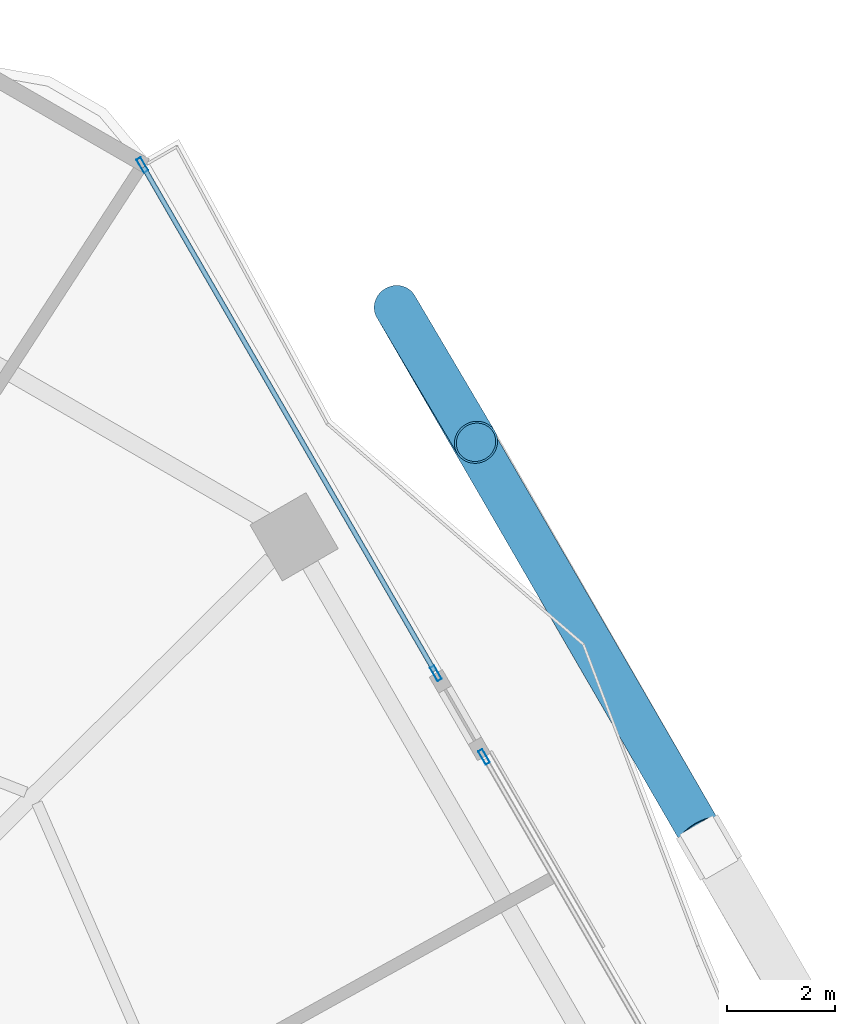
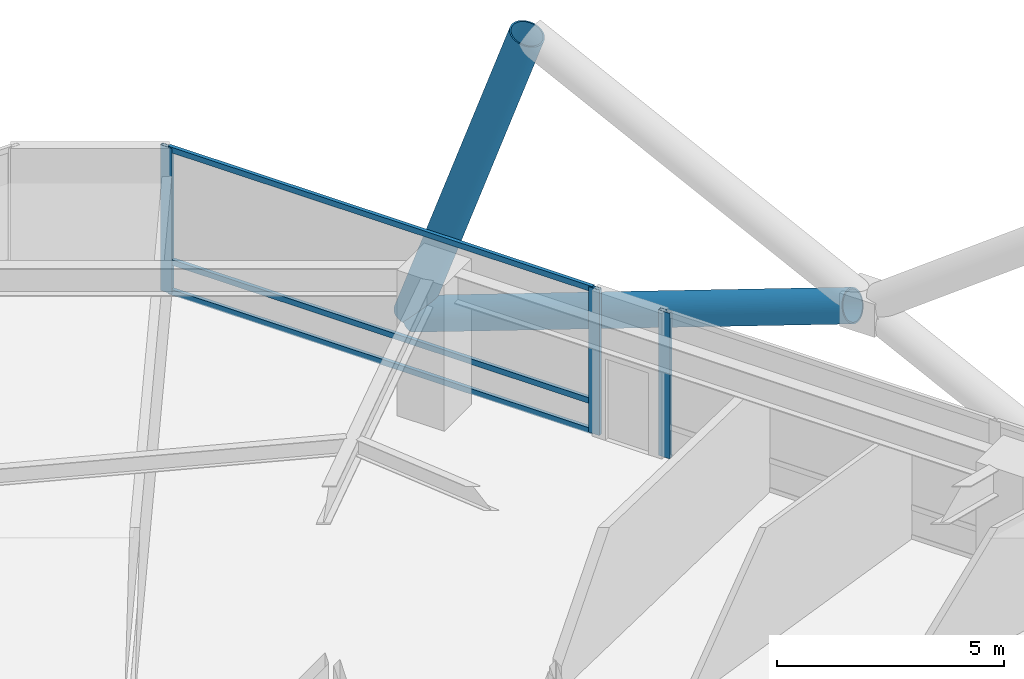
# One storey, part 22 of 31: 8 members, 2 elements without a shape of their own.
"""IFC4 building model written with IfcOpenShell, lengths in metres."""

from ifc_helpers import new_model, si_unit, direction, frame, origin, origin_2d, place, context, subcontext, project, spatial, hollow_rectangle, hollow_circle, extrude, material, material_profile, profile_set, type_object, element, aggregate, save


model = new_model("IFC4")

# Units and contexts
model_context = context("Model", 3, precision=1e-05, world=origin(), true_north=direction((0.0, 1.0)))
body_context = subcontext(model_context, "Body", "Model", "MODEL_VIEW")
ifc_project = project(units=[si_unit("LENGTHUNIT", "METRE"), si_unit("AREAUNIT", "SQUARE_METRE"), si_unit("VOLUMEUNIT", "CUBIC_METRE"), si_unit("PLANEANGLEUNIT", "RADIAN"), si_unit("MASSUNIT", "GRAM", prefix="KILO")], contexts=[model_context])

# Site, building, storey
site_placement = place(None, origin())
site = spatial("IfcSite", under=ifc_project, at=site_placement, CompositionType="ELEMENT")
building_placement = place(site_placement, origin())
building = spatial("IfcBuilding", under=site, at=building_placement, Name="Zuhravey Tower", CompositionType="ELEMENT")
storey_placement = place(building_placement, frame((0.0, 0.0, 7.800048828125)))
storey = spatial("IfcBuildingStorey", under=building, at=storey_placement, Name="L02", CompositionType="ELEMENT", Elevation=7.800048828125)

# Curtain wall, members
ifc_material_1 = material(Name="Thermally broken anodised aluminium", Category="aluminium")
curtain_wall_type = type_object("IfcCurtainWallType", Name="School Low-E Unitised Curtain Wall CW1", PredefinedType="NOTDEFINED", material=ifc_material_1)
curtain_wall_1_placement = place(storey_placement, origin())
curtain_wall_1 = element("IfcCurtainWall", 1, at=curtain_wall_1_placement, inside=storey, type_object=curtain_wall_type, Name="L02 CW1 CW-L02-F1-1", PredefinedType="NOTDEFINED")
ifc_material_2 = material(Name="Anodised aluminium", Category="aluminium")
ifc_material_profile_1 = material_profile(ifc_material_2, hollow_rectangle(XDim=0.090087890625, YDim=0.284912109375, WallThickness=0.0048828125, at=origin_2d()), Name="ALU-RHS-90x285x5")
ifc_profile_set_1 = profile_set([ifc_material_profile_1], Name="Anodised aluminium")
member_type_1 = type_object("IfcMemberType", Name="Curtain-Wall Mullion 90x180", PredefinedType="MULLION", material=ifc_profile_set_1)
member_1_placement = place(storey_placement, frame((53.701416015625, 59.257080078125, 0.0), z_axis=(0.0, 0.0, 1.0), x_axis=(0.866026545681, 0.499998022171, 0.0)))
member_1 = element("IfcMember", 2, at=member_1_placement, type_object=member_type_1, Name="CW1 mullion 1", PredefinedType="MULLION", context=body_context, shape_type="SweptSolid", body=[
    extrude(hollow_rectangle(XDim=0.090087890625, YDim=0.284912109375, WallThickness=0.0048828125, at=origin_2d()), origin(), (0.0, 0.0, 1.0), 3.919921875),
])
member_2_placement = place(storey_placement, frame((59.1484375, 49.82275390625, 0.0), z_axis=(0.0, 0.0, 1.0), x_axis=(0.866026545681, 0.499998022171, 0.0)))
member_2 = element("IfcMember", 3, at=member_2_placement, type_object=member_type_1, Name="CW1 mullion 2", PredefinedType="MULLION", context=body_context, shape_type="SweptSolid", body=[
    extrude(hollow_rectangle(XDim=0.090087890625, YDim=0.284912109375, WallThickness=0.0048828125, at=origin_2d()), origin(), (0.0, 0.0, 1.0), 3.919921875),
])

# Curtain wall, member
curtain_wall_2_placement = place(storey_placement, origin())
curtain_wall_2 = element("IfcCurtainWall", 4, at=curtain_wall_2_placement, inside=storey, type_object=curtain_wall_type, Name="L02 CW1 CW-L02-F1-2", PredefinedType="NOTDEFINED")
member_3_placement = place(storey_placement, frame((60.04345703125, 48.2724609375, 0.0), z_axis=(0.0, 0.0, 1.0), x_axis=(0.866025508574, 0.499999818499, 0.0)))
member_3 = element("IfcMember", 5, at=member_3_placement, type_object=member_type_1, Name="CW1 mullion 1", PredefinedType="MULLION", context=body_context, shape_type="SweptSolid", body=[
    extrude(hollow_rectangle(XDim=0.090087890625, YDim=0.284912109375, WallThickness=0.0048828125, at=origin_2d()), origin(), (0.0, 0.0, 1.0), 3.919921875),
])
aggregate(curtain_wall_2, [member_3])

# Member
ifc_material_profile_2 = material_profile(ifc_material_2, hollow_rectangle(XDim=0.090087890625, YDim=0.14990234375, WallThickness=0.0048828125, at=origin_2d()), Name="ALU-RHS-90x150x5")
ifc_profile_set_2 = profile_set([ifc_material_profile_2], Name="Anodised aluminium")
member_type_2 = type_object("IfcMemberType", Name="Curtain-Wall Transom 90x150", PredefinedType="USERDEFINED", material=ifc_profile_set_2)
member_4_placement = place(storey_placement, frame((53.72412109375, 59.218017578125, 0.044921875), z_axis=(0.499993700073, -0.866029041019, 0.0), x_axis=(0.866029041019, 0.499993700073, 0.0)))
member_4 = element("IfcMember", 6, at=member_4_placement, type_object=member_type_2, Name="CW1 transom 1.1", ObjectType="TRANSOM", PredefinedType="USERDEFINED", context=body_context, shape_type="SweptSolid", body=[
    extrude(hollow_rectangle(XDim=0.090087890625, YDim=0.14990234375, WallThickness=0.0048828125, at=origin_2d()), origin(), (0.0, 0.0, 1.0), 10.803955078125),
])

member_5_placement = place(storey_placement, frame((53.72412109375, 59.218017578125, 0.849853515625), z_axis=(0.499993700073, -0.866029041019, 0.0), x_axis=(0.866029041019, 0.499993700073, 0.0)))
member_5 = element("IfcMember", 7, at=member_5_placement, type_object=member_type_2, Name="CW1 transom 1.2", ObjectType="TRANSOM", PredefinedType="USERDEFINED", context=body_context, shape_type="SweptSolid", body=[
    extrude(hollow_rectangle(XDim=0.090087890625, YDim=0.14990234375, WallThickness=0.0048828125, at=origin_2d()), origin(), (0.0, 0.0, 1.0), 10.803955078125),
])

member_6_placement = place(storey_placement, frame((53.72412109375, 59.218017578125, 3.875), z_axis=(0.499993700073, -0.866029041019, 0.0), x_axis=(0.866029041019, 0.499993700073, 0.0)))
member_6 = element("IfcMember", 8, at=member_6_placement, type_object=member_type_2, Name="CW1 transom 1.3", ObjectType="TRANSOM", PredefinedType="USERDEFINED", context=body_context, shape_type="SweptSolid", body=[
    extrude(hollow_rectangle(XDim=0.090087890625, YDim=0.14990234375, WallThickness=0.0048828125, at=origin_2d()), origin(), (0.0, 0.0, 1.0), 10.803955078125),
])

aggregate(curtain_wall_1, [member_1, member_2, member_4, member_5, member_6])

# Members
ifc_material_3 = material(Name="Steel SM460", Category="steel")
ifc_material_profile_3 = material_profile(ifc_material_3, hollow_circle(Radius=0.406494140625, WallThickness=0.035888671875, at=origin_2d()), Name="CHS-812.8x36")
ifc_profile_set_3 = profile_set([ifc_material_profile_3], Name="Steel SM460")
member_type_3 = type_object("IfcMemberType", Name="Exoskeleton Zone 1 Diagrid CHS813x36", PredefinedType="BRACE", material=ifc_profile_set_3)
member_7_placement = place(storey_placement, frame((58.404541015625, 56.631591796875, -0.64208984375), z_axis=(0.165253872846, -0.279620818934, 0.945781875026), x_axis=(0.860894987852, 0.508782684346, 0.0)))
element("IfcMember", 9, at=member_7_placement, inside=storey, type_object=member_type_3, Name="L02 Face 1 Diagrid Brace 4", PredefinedType="BRACE", context=body_context, shape_type="SweptSolid", body=[
    extrude(hollow_circle(Radius=0.406494140625, WallThickness=0.035888671875, at=origin_2d()), origin(), (0.0, 0.0, 1.0), 9.014892578125),
])
member_8_placement = place(storey_placement, frame((58.423828125, 56.59765625, -0.64697265625), z_axis=(0.470113658458, -0.811830287157, 0.346301505897), x_axis=(0.865376986548, 0.501121413585, 0.0)))
element("IfcMember", 10, at=member_8_placement, inside=storey, type_object=member_type_3, Name="L02 Face 1 Split Diagrid Brace 3A", PredefinedType="BRACE", context=body_context, shape_type="SweptSolid", body=[
    extrude(hollow_circle(Radius=0.406494140625, WallThickness=0.035888671875, at=origin_2d()), origin(), (0.0, 0.0, 1.0), 11.927734375),
])

save(model, "model.ifc")
